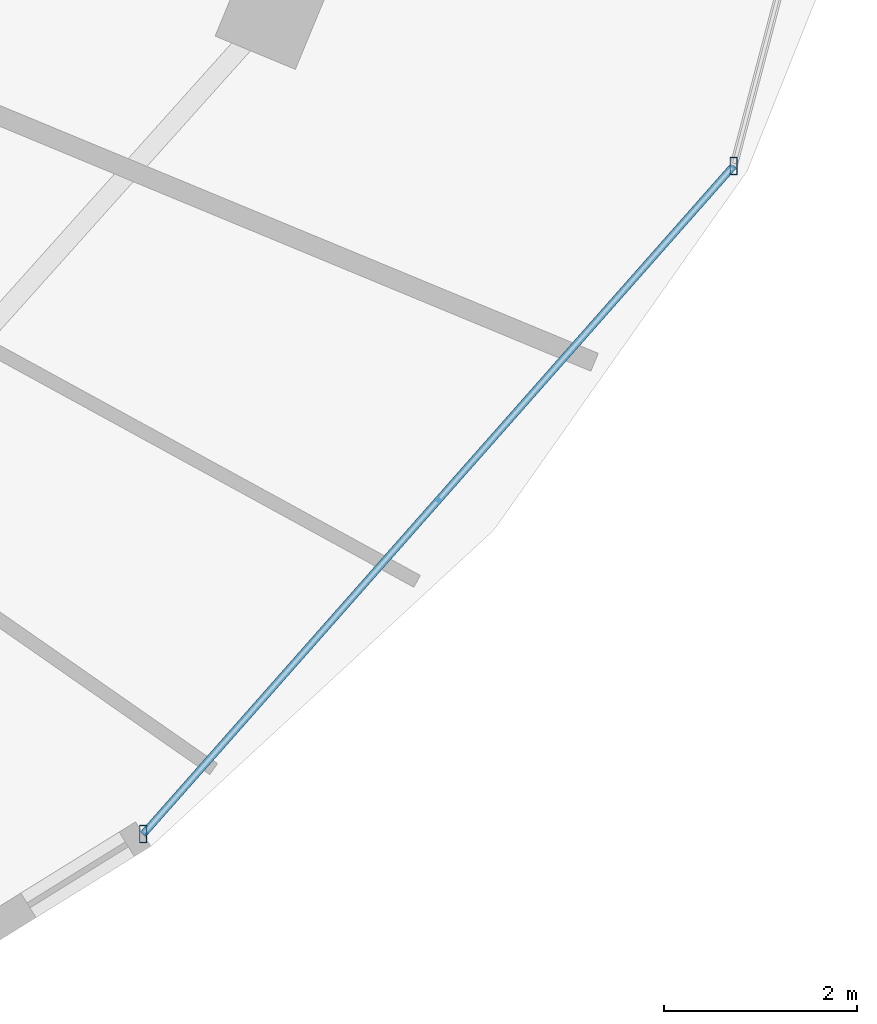
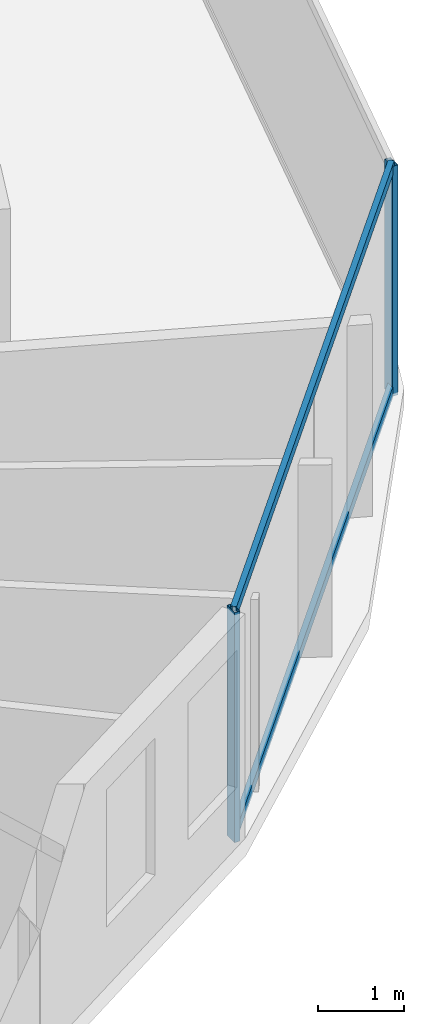
# One storey, part 13 of 33: 4 members, 1 element without a shape of its own.
"""IFC4 building model written with IfcOpenShell, lengths in metres."""

import ifcopenshell
import ifcopenshell.guid

model = None  # the IFC model being written
_history = None  # IfcOwnerHistory: only IFC2X3 demands one
_inside = {}  # id of a spatial element -> (the spatial element, [elements in it])
_under = {}  # id of a project, library or spatial element -> (it, [spatial elements below it])
_declared = {}  # id of a project -> (the project, [libraries it declares])
_typed = {}  # id of a type object -> (the type object, [elements of that type])
_made_of = {}  # id of a material, layer set ... -> (it, [elements and type objects made of it])


def new_model(schema):
    """Start an empty IFC model of exactly this schema.

    Asked for "IFC4X3", IfcOpenShell would pick the latest addendum, in which some entities
    have other attributes; the version numbers below select the first issue.
    IFC2X3 requires an IfcOwnerHistory on every rooted entity: one is made here for all.
    """
    global model, _history
    if schema == "IFC4X3":
        model = ifcopenshell.file(schema_version=(4, 3, 0, 0))
    else:
        model = ifcopenshell.file(schema=schema)
    _inside.clear()
    _under.clear()
    _declared.clear()
    _typed.clear()
    _made_of.clear()
    _history = None
    if model.schema == "IFC2X3":
        org = make("IfcOrganization", Name="unknown")
        user = make(
            "IfcPersonAndOrganization",
            ThePerson=make("IfcPerson", FamilyName="unknown"),
            TheOrganization=org,
        )
        app = make(
            "IfcApplication",
            ApplicationDeveloper=org,
            Version="unknown",
            ApplicationFullName="unknown",
            ApplicationIdentifier="unknown",
        )
        _history = make(
            "IfcOwnerHistory",
            OwningUser=user,
            OwningApplication=app,
            ChangeAction="ADDED",
            CreationDate=0,
        )
    return model


def make(cls, **values):
    """One entity of the class cls with the attributes given. An attribute that is None is left unset."""
    return model.create_entity(
        cls, **{name: value for name, value in values.items() if value is not None}
    )


def rooted(cls, **values):
    """An entity with a GlobalId (a new one), such as an element, a storey or a relation."""
    return make(cls, GlobalId=ifcopenshell.guid.new(), OwnerHistory=_history, **values)


def si_unit(unit_type, name, prefix=None):
    """IfcSIUnit, for example si_unit("LENGTHUNIT", "METRE", prefix="MILLI")."""
    return make("IfcSIUnit", UnitType=unit_type, Prefix=prefix, Name=name)


def assignment(units):
    """IfcUnitAssignment: the units of a project."""
    return None if units is None else make("IfcUnitAssignment", Units=units)


def point(xyz):
    """IfcCartesianPoint."""
    return None if xyz is None else make("IfcCartesianPoint", Coordinates=xyz)


def direction(xyz):
    """IfcDirection."""
    return None if xyz is None else make("IfcDirection", DirectionRatios=xyz)


def frame(location, z_axis=None, x_axis=None):
    """IfcAxis2Placement3D, a coordinate frame: its origin and axes. An axis left out is left unset."""
    return make(
        "IfcAxis2Placement3D",
        Location=point(location),
        Axis=direction(z_axis),
        RefDirection=direction(x_axis),
    )


def frame_2d(location, x_axis=None):
    """IfcAxis2Placement2D, a coordinate frame in the plane: its origin and x axis."""
    return make(
        "IfcAxis2Placement2D", Location=point(location), RefDirection=direction(x_axis)
    )


def origin():
    """The frame at (0, 0, 0) with its axes left unset."""
    return frame((0.0, 0.0, 0.0))


def origin_2d():
    """The frame at (0, 0) in the plane with its x axis left unset."""
    return frame_2d((0.0, 0.0))


def place(relative_to, where):
    """IfcLocalPlacement: puts the frame where relative to a parent placement (None: the world)."""
    return make(
        "IfcLocalPlacement", PlacementRelTo=relative_to, RelativePlacement=where
    )


def context(
    kind, dimensions, precision=None, world=None, true_north=None, identifier=None
):
    """IfcGeometricRepresentationContext, for example the 3D "Model" context."""
    return make(
        "IfcGeometricRepresentationContext",
        ContextIdentifier=identifier,
        ContextType=kind,
        CoordinateSpaceDimension=dimensions,
        Precision=precision,
        WorldCoordinateSystem=world,
        TrueNorth=true_north,
    )


def subcontext(parent, identifier, kind, view, scale=None):
    """IfcGeometricRepresentationSubContext, for example "Body" below "Model"."""
    return make(
        "IfcGeometricRepresentationSubContext",
        ContextIdentifier=identifier,
        ContextType=kind,
        ParentContext=parent,
        TargetScale=scale,
        TargetView=view,
    )


def project(units=None, contexts=None):
    """IfcProject with its units and contexts."""
    return rooted(
        "IfcProject",
        Name="project",
        RepresentationContexts=contexts,
        UnitsInContext=assignment(units),
    )


def spatial(cls, under=None, at=None, **own):
    """A site, building, storey or space (cls), placed at a placement, below another one or the project."""
    s = rooted(cls, ObjectPlacement=at, **own)
    if under is not None:
        _under.setdefault(under.id(), (under, []))[1].append(s)
    return s


def profile(cls, at=None, kind="AREA", **sizes):
    """A parametric profile (cls). Its sizes go by their IFC names, for example OverallWidth=200.0."""
    return make(cls, ProfileType=kind, Position=at, **sizes)


def hollow_rectangle(**sizes):
    """IfcRectangleHollowProfileDef."""
    return profile("IfcRectangleHollowProfileDef", **sizes)


def extrude(swept, where, along, depth):
    """IfcExtrudedAreaSolid: the profile swept, set in the frame where, extruded along a direction by depth."""
    return make(
        "IfcExtrudedAreaSolid",
        SweptArea=swept,
        Position=where,
        ExtrudedDirection=direction(along),
        Depth=depth,
    )


def shape(context_of_items, identifier, shape_type, items):
    """IfcShapeRepresentation: the items that make up one representation, for example the "Body"."""
    return make(
        "IfcShapeRepresentation",
        ContextOfItems=context_of_items,
        RepresentationIdentifier=identifier,
        RepresentationType=shape_type,
        Items=items,
    )


def material(Name=None, Category=None):
    """IfcMaterial."""
    return make("IfcMaterial", Name=Name, Category=Category)


def material_profile(
    of_material, cross_section, Name=None, Category=None, Priority=None
):
    """IfcMaterialProfile: a cross section and its material."""
    return make(
        "IfcMaterialProfile",
        Name=Name,
        Material=of_material,
        Profile=cross_section,
        Priority=Priority,
        Category=Category,
    )


def profile_set(profiles, Name=None, composite=None):
    """IfcMaterialProfileSet."""
    return make(
        "IfcMaterialProfileSet",
        Name=Name,
        MaterialProfiles=profiles,
        CompositeProfile=composite,
    )


def made_of(thing, what):
    """Note that an element or type object is made of a material, layer set ...; save() writes the relation."""
    if what is not None:
        _made_of.setdefault(what.id(), (what, []))[1].append(thing)
    return thing


def type_object(cls, material=None, **own):
    """A type object (cls), such as IfcWallType, which elements share."""
    return made_of(rooted(cls, **own), material)


def element(
    cls,
    number,
    at=None,
    inside=None,
    cuts=None,
    type_object=None,
    material=None,
    context=None,
    identifier="Body",
    shape_type=None,
    held_by="IfcProductDefinitionShape",
    body=None,
    shapes=None,
    **own,
):
    """One element of the class cls, such as IfcWall. Its Tag is "e" and its number.

    at: its placement. inside: the storey or other place that contains it. cuts: it is an
    opening in that element (IfcRelVoidsElement). A single representation is given by context,
    identifier, shape_type and body (its items); several are given by shapes. held_by: the class
    of the entity that holds the representations. save() writes the other relations.
    """
    e = rooted(cls, Tag="e%d" % number, ObjectPlacement=at, **own)
    if body is not None:
        shapes = [shape(context, identifier, shape_type, body)]
    if shapes is not None:
        e.Representation = make(held_by, Representations=shapes)
    if inside is not None:
        _inside.setdefault(inside.id(), (inside, []))[1].append(e)
    if cuts is not None:
        rooted(
            "IfcRelVoidsElement", RelatingBuildingElement=cuts, RelatedOpeningElement=e
        )
    if type_object is not None:
        _typed.setdefault(type_object.id(), (type_object, []))[1].append(e)
    return made_of(e, material)


def aggregate(whole, parts):
    """IfcRelAggregates: a whole, such as a stair, and the parts it consists of."""
    return rooted("IfcRelAggregates", RelatingObject=whole, RelatedObjects=parts)


def save(model, path):
    """Write the relations noted so far, then the file.

    IfcRelAggregates (storeys below a building ...), IfcRelContainedInSpatialStructure (elements
    in a storey), IfcRelDefinesByType, IfcRelAssociatesMaterial and IfcRelDeclares: one each for
    every whole, place, type object, material and project.
    """
    for whole, parts in _under.values():
        aggregate(whole, parts)
    for where, things in _inside.values():
        rooted(
            "IfcRelContainedInSpatialStructure",
            RelatedElements=things,
            RelatingStructure=where,
        )
    for kind, things in _typed.values():
        rooted("IfcRelDefinesByType", RelatedObjects=things, RelatingType=kind)
    for what, things in _made_of.values():
        rooted("IfcRelAssociatesMaterial", RelatedObjects=things, RelatingMaterial=what)
    for by, libraries in _declared.values():
        rooted("IfcRelDeclares", RelatingContext=by, RelatedDefinitions=libraries)
    model.write(path)


model = new_model("IFC4")

# Units and contexts
model_context = context("Model", 3, precision=1e-05, world=origin(), true_north=direction((0.0, 1.0)))
body_context = subcontext(model_context, "Body", "Model", "MODEL_VIEW")
ifc_project = project(units=[si_unit("LENGTHUNIT", "METRE"), si_unit("AREAUNIT", "SQUARE_METRE"), si_unit("VOLUMEUNIT", "CUBIC_METRE"), si_unit("PLANEANGLEUNIT", "RADIAN"), si_unit("MASSUNIT", "GRAM", prefix="KILO")], contexts=[model_context])

# Site, building, storey
site_placement = place(None, origin())
site = spatial("IfcSite", under=ifc_project, at=site_placement, CompositionType="ELEMENT")
building_placement = place(site_placement, origin())
building = spatial("IfcBuilding", under=site, at=building_placement, Name="Vorneva Point Tower", CompositionType="ELEMENT")
storey_placement = place(building_placement, frame((0.0, 0.0, 221.39990234375)))
storey = spatial("IfcBuildingStorey", under=building, at=storey_placement, Name="L60", CompositionType="ELEMENT", Elevation=221.39990234375)

# Curtain wall, members
ifc_material = material(Name="Pale anodised aluminium", Category="aluminium")
curtain_wall_type = type_object("IfcCurtainWallType", Name="CW-RES-SYS", PredefinedType="NOTDEFINED", material=ifc_material)
curtain_wall_placement = place(storey_placement, origin())
curtain_wall = element("IfcCurtainWall", 1, at=curtain_wall_placement, inside=storey, type_object=curtain_wall_type, Name="L60 Unitised Curtain Wall CW-L60-R04", PredefinedType="NOTDEFINED")
ifc_material_profile_1 = material_profile(ifc_material, hollow_rectangle(XDim=0.074951171875, YDim=0.179931640625, WallThickness=0.00390625, at=origin_2d()), Name="AL-MUL 180x75x4")
ifc_profile_set_1 = profile_set([ifc_material_profile_1], Name="Pale anodised aluminium")
member_type_1 = type_object("IfcMemberType", Name="CW-MUL-180", PredefinedType="MULLION", material=ifc_profile_set_1)
member_1_placement = place(storey_placement, frame((57.961669921875, 10.9033203125, -0.039794921875), z_axis=(0.0, 0.0, 1.0), x_axis=(1.0, 0.0, 0.0)))
member_1 = element("IfcMember", 2, at=member_1_placement, type_object=member_type_1, Name="CW-L60-R04 Mullion 01", PredefinedType="MULLION", context=body_context, shape_type="SweptSolid", body=[
    extrude(hollow_rectangle(XDim=0.074951171875, YDim=0.179931640625, WallThickness=0.00390625, at=origin_2d()), origin(), (0.0, 0.0, 1.0), 3.269775390625),
])
member_2_placement = place(storey_placement, frame((64.0810546875, 17.82958984375, -0.039794921875), z_axis=(0.0, 0.0, 1.0), x_axis=(1.0, 0.0, 0.0)))
member_2 = element("IfcMember", 3, at=member_2_placement, type_object=member_type_1, Name="CW-L60-R04 Mullion 02", PredefinedType="MULLION", context=body_context, shape_type="SweptSolid", body=[
    extrude(hollow_rectangle(XDim=0.074951171875, YDim=0.179931640625, WallThickness=0.00390625, at=origin_2d()), origin(), (0.0, 0.0, 1.0), 3.269775390625),
])
ifc_material_profile_2 = material_profile(ifc_material, hollow_rectangle(XDim=0.074951171875, YDim=0.14990234375, WallThickness=0.00390625, at=origin_2d()), Name="AL-TRN 150x75x4")
ifc_profile_set_2 = profile_set([ifc_material_profile_2], Name="Pale anodised aluminium")
member_type_2 = type_object("IfcMemberType", Name="CW-TRN-150", PredefinedType="USERDEFINED", material=ifc_profile_set_2)
member_3_placement = place(storey_placement, frame((57.961669921875, 10.9033203125, 0.02001953125), z_axis=(0.662106383869, 0.749409858782, 0.0), x_axis=(-0.749409858782, 0.662106383869, 0.0)))
member_3 = element("IfcMember", 4, at=member_3_placement, type_object=member_type_2, Name="CW-L60-R04 Transom 01.1", ObjectType="TRANSOM", PredefinedType="USERDEFINED", context=body_context, shape_type="SweptSolid", body=[
    extrude(hollow_rectangle(XDim=0.074951171875, YDim=0.14990234375, WallThickness=0.00390625, at=origin_2d()), origin(), (0.0, 0.0, 1.0), 9.2421875),
])
member_4_placement = place(storey_placement, frame((57.961669921875, 10.9033203125, 3.18017578125), z_axis=(0.662106383869, 0.749409858782, 0.0), x_axis=(-0.749409858782, 0.662106383869, 0.0)))
member_4 = element("IfcMember", 5, at=member_4_placement, type_object=member_type_2, Name="CW-L60-R04 Transom 01.2", ObjectType="TRANSOM", PredefinedType="USERDEFINED", context=body_context, shape_type="SweptSolid", body=[
    extrude(hollow_rectangle(XDim=0.074951171875, YDim=0.14990234375, WallThickness=0.00390625, at=origin_2d()), origin(), (0.0, 0.0, 1.0), 9.2421875),
])
aggregate(curtain_wall, [member_1, member_2, member_3, member_4])

save(model, "model.ifc")
